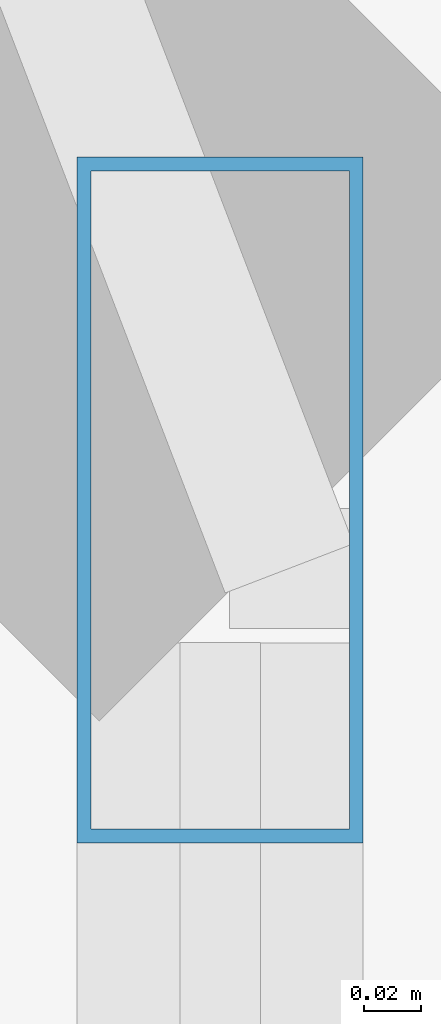
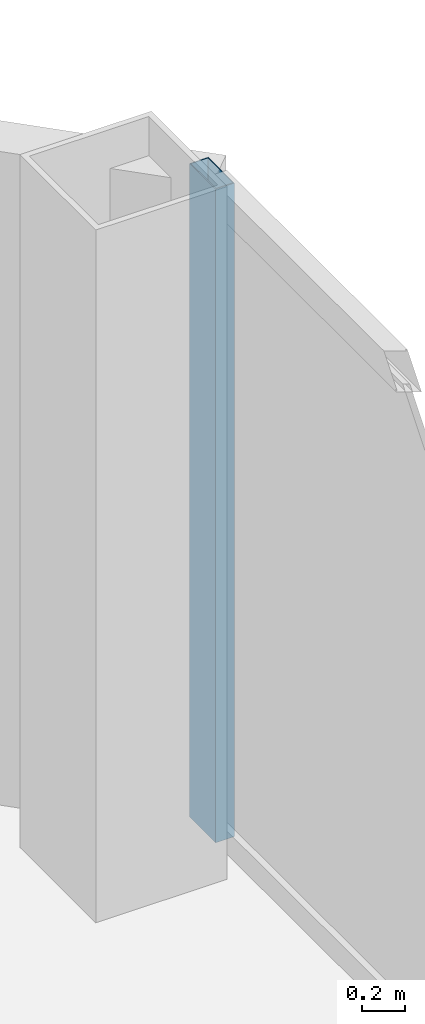
# One storey, part 16 of 26: 1 member, 1 element without a shape of its own.
"""IFC4 building model written with IfcOpenShell, lengths in metres."""

import ifcopenshell
import ifcopenshell.guid

model = None  # the IFC model being written
_history = None  # IfcOwnerHistory: only IFC2X3 demands one
_inside = {}  # id of a spatial element -> (the spatial element, [elements in it])
_under = {}  # id of a project, library or spatial element -> (it, [spatial elements below it])
_declared = {}  # id of a project -> (the project, [libraries it declares])
_typed = {}  # id of a type object -> (the type object, [elements of that type])
_made_of = {}  # id of a material, layer set ... -> (it, [elements and type objects made of it])


def new_model(schema):
    """Start an empty IFC model of exactly this schema.

    Asked for "IFC4X3", IfcOpenShell would pick the latest addendum, in which some entities
    have other attributes; the version numbers below select the first issue.
    IFC2X3 requires an IfcOwnerHistory on every rooted entity: one is made here for all.
    """
    global model, _history
    if schema == "IFC4X3":
        model = ifcopenshell.file(schema_version=(4, 3, 0, 0))
    else:
        model = ifcopenshell.file(schema=schema)
    _inside.clear()
    _under.clear()
    _declared.clear()
    _typed.clear()
    _made_of.clear()
    _history = None
    if model.schema == "IFC2X3":
        org = make("IfcOrganization", Name="unknown")
        user = make(
            "IfcPersonAndOrganization",
            ThePerson=make("IfcPerson", FamilyName="unknown"),
            TheOrganization=org,
        )
        app = make(
            "IfcApplication",
            ApplicationDeveloper=org,
            Version="unknown",
            ApplicationFullName="unknown",
            ApplicationIdentifier="unknown",
        )
        _history = make(
            "IfcOwnerHistory",
            OwningUser=user,
            OwningApplication=app,
            ChangeAction="ADDED",
            CreationDate=0,
        )
    return model


def make(cls, **values):
    """One entity of the class cls with the attributes given. An attribute that is None is left unset."""
    return model.create_entity(
        cls, **{name: value for name, value in values.items() if value is not None}
    )


def rooted(cls, **values):
    """An entity with a GlobalId (a new one), such as an element, a storey or a relation."""
    return make(cls, GlobalId=ifcopenshell.guid.new(), OwnerHistory=_history, **values)


def si_unit(unit_type, name, prefix=None):
    """IfcSIUnit, for example si_unit("LENGTHUNIT", "METRE", prefix="MILLI")."""
    return make("IfcSIUnit", UnitType=unit_type, Prefix=prefix, Name=name)


def assignment(units):
    """IfcUnitAssignment: the units of a project."""
    return None if units is None else make("IfcUnitAssignment", Units=units)


def point(xyz):
    """IfcCartesianPoint."""
    return None if xyz is None else make("IfcCartesianPoint", Coordinates=xyz)


def direction(xyz):
    """IfcDirection."""
    return None if xyz is None else make("IfcDirection", DirectionRatios=xyz)


def frame(location, z_axis=None, x_axis=None):
    """IfcAxis2Placement3D, a coordinate frame: its origin and axes. An axis left out is left unset."""
    return make(
        "IfcAxis2Placement3D",
        Location=point(location),
        Axis=direction(z_axis),
        RefDirection=direction(x_axis),
    )


def frame_2d(location, x_axis=None):
    """IfcAxis2Placement2D, a coordinate frame in the plane: its origin and x axis."""
    return make(
        "IfcAxis2Placement2D", Location=point(location), RefDirection=direction(x_axis)
    )


def origin():
    """The frame at (0, 0, 0) with its axes left unset."""
    return frame((0.0, 0.0, 0.0))


def origin_2d():
    """The frame at (0, 0) in the plane with its x axis left unset."""
    return frame_2d((0.0, 0.0))


def place(relative_to, where):
    """IfcLocalPlacement: puts the frame where relative to a parent placement (None: the world)."""
    return make(
        "IfcLocalPlacement", PlacementRelTo=relative_to, RelativePlacement=where
    )


def context(
    kind, dimensions, precision=None, world=None, true_north=None, identifier=None
):
    """IfcGeometricRepresentationContext, for example the 3D "Model" context."""
    return make(
        "IfcGeometricRepresentationContext",
        ContextIdentifier=identifier,
        ContextType=kind,
        CoordinateSpaceDimension=dimensions,
        Precision=precision,
        WorldCoordinateSystem=world,
        TrueNorth=true_north,
    )


def subcontext(parent, identifier, kind, view, scale=None):
    """IfcGeometricRepresentationSubContext, for example "Body" below "Model"."""
    return make(
        "IfcGeometricRepresentationSubContext",
        ContextIdentifier=identifier,
        ContextType=kind,
        ParentContext=parent,
        TargetScale=scale,
        TargetView=view,
    )


def project(units=None, contexts=None):
    """IfcProject with its units and contexts."""
    return rooted(
        "IfcProject",
        Name="project",
        RepresentationContexts=contexts,
        UnitsInContext=assignment(units),
    )


def spatial(cls, under=None, at=None, **own):
    """A site, building, storey or space (cls), placed at a placement, below another one or the project."""
    s = rooted(cls, ObjectPlacement=at, **own)
    if under is not None:
        _under.setdefault(under.id(), (under, []))[1].append(s)
    return s


def profile(cls, at=None, kind="AREA", **sizes):
    """A parametric profile (cls). Its sizes go by their IFC names, for example OverallWidth=200.0."""
    return make(cls, ProfileType=kind, Position=at, **sizes)


def hollow_rectangle(**sizes):
    """IfcRectangleHollowProfileDef."""
    return profile("IfcRectangleHollowProfileDef", **sizes)


def extrude(swept, where, along, depth):
    """IfcExtrudedAreaSolid: the profile swept, set in the frame where, extruded along a direction by depth."""
    return make(
        "IfcExtrudedAreaSolid",
        SweptArea=swept,
        Position=where,
        ExtrudedDirection=direction(along),
        Depth=depth,
    )


def shape(context_of_items, identifier, shape_type, items):
    """IfcShapeRepresentation: the items that make up one representation, for example the "Body"."""
    return make(
        "IfcShapeRepresentation",
        ContextOfItems=context_of_items,
        RepresentationIdentifier=identifier,
        RepresentationType=shape_type,
        Items=items,
    )


def material(Name=None, Category=None):
    """IfcMaterial."""
    return make("IfcMaterial", Name=Name, Category=Category)


def layer(
    of_material, thickness, ventilated=None, Name=None, Category=None, Priority=None
):
    """IfcMaterialLayer: one layer of a wall or slab, of a material (None: an air gap)."""
    return make(
        "IfcMaterialLayer",
        Material=of_material,
        LayerThickness=thickness,
        IsVentilated=ventilated,
        Name=Name,
        Category=Category,
        Priority=Priority,
    )


def layer_set(layers, Name=None):
    """IfcMaterialLayerSet."""
    return make("IfcMaterialLayerSet", MaterialLayers=layers, LayerSetName=Name)


def material_profile(
    of_material, cross_section, Name=None, Category=None, Priority=None
):
    """IfcMaterialProfile: a cross section and its material."""
    return make(
        "IfcMaterialProfile",
        Name=Name,
        Material=of_material,
        Profile=cross_section,
        Priority=Priority,
        Category=Category,
    )


def profile_set(profiles, Name=None, composite=None):
    """IfcMaterialProfileSet."""
    return make(
        "IfcMaterialProfileSet",
        Name=Name,
        MaterialProfiles=profiles,
        CompositeProfile=composite,
    )


def made_of(thing, what):
    """Note that an element or type object is made of a material, layer set ...; save() writes the relation."""
    if what is not None:
        _made_of.setdefault(what.id(), (what, []))[1].append(thing)
    return thing


def type_object(cls, material=None, **own):
    """A type object (cls), such as IfcWallType, which elements share."""
    return made_of(rooted(cls, **own), material)


def element(
    cls,
    number,
    at=None,
    inside=None,
    cuts=None,
    type_object=None,
    material=None,
    context=None,
    identifier="Body",
    shape_type=None,
    held_by="IfcProductDefinitionShape",
    body=None,
    shapes=None,
    **own,
):
    """One element of the class cls, such as IfcWall. Its Tag is "e" and its number.

    at: its placement. inside: the storey or other place that contains it. cuts: it is an
    opening in that element (IfcRelVoidsElement). A single representation is given by context,
    identifier, shape_type and body (its items); several are given by shapes. held_by: the class
    of the entity that holds the representations. save() writes the other relations.
    """
    e = rooted(cls, Tag="e%d" % number, ObjectPlacement=at, **own)
    if body is not None:
        shapes = [shape(context, identifier, shape_type, body)]
    if shapes is not None:
        e.Representation = make(held_by, Representations=shapes)
    if inside is not None:
        _inside.setdefault(inside.id(), (inside, []))[1].append(e)
    if cuts is not None:
        rooted(
            "IfcRelVoidsElement", RelatingBuildingElement=cuts, RelatedOpeningElement=e
        )
    if type_object is not None:
        _typed.setdefault(type_object.id(), (type_object, []))[1].append(e)
    return made_of(e, material)


def aggregate(whole, parts):
    """IfcRelAggregates: a whole, such as a stair, and the parts it consists of."""
    return rooted("IfcRelAggregates", RelatingObject=whole, RelatedObjects=parts)


def save(model, path):
    """Write the relations noted so far, then the file.

    IfcRelAggregates (storeys below a building ...), IfcRelContainedInSpatialStructure (elements
    in a storey), IfcRelDefinesByType, IfcRelAssociatesMaterial and IfcRelDeclares: one each for
    every whole, place, type object, material and project.
    """
    for whole, parts in _under.values():
        aggregate(whole, parts)
    for where, things in _inside.values():
        rooted(
            "IfcRelContainedInSpatialStructure",
            RelatedElements=things,
            RelatingStructure=where,
        )
    for kind, things in _typed.values():
        rooted("IfcRelDefinesByType", RelatedObjects=things, RelatingType=kind)
    for what, things in _made_of.values():
        rooted("IfcRelAssociatesMaterial", RelatedObjects=things, RelatingMaterial=what)
    for by, libraries in _declared.values():
        rooted("IfcRelDeclares", RelatingContext=by, RelatedDefinitions=libraries)
    model.write(path)


model = new_model("IFC4")

# Units and contexts
model_context = context("Model", 3, precision=1e-05, world=origin(), true_north=direction((0.0, 1.0)))
body_context = subcontext(model_context, "Body", "Model", "MODEL_VIEW")
ifc_project = project(units=[si_unit("LENGTHUNIT", "METRE"), si_unit("AREAUNIT", "SQUARE_METRE"), si_unit("VOLUMEUNIT", "CUBIC_METRE"), si_unit("PLANEANGLEUNIT", "RADIAN"), si_unit("MASSUNIT", "GRAM", prefix="KILO")], contexts=[model_context])

# Site, building, storey
site_placement = place(None, origin())
site = spatial("IfcSite", under=ifc_project, at=site_placement, CompositionType="ELEMENT")
building_placement = place(site_placement, origin())
building = spatial("IfcBuilding", under=site, at=building_placement, Name="Khorvyn Point Tower", CompositionType="ELEMENT")
storey_placement = place(building_placement, frame((0.0, 0.0, 183.60009765625)))
storey = spatial("IfcBuildingStorey", under=building, at=storey_placement, Name="L45", CompositionType="ELEMENT", Elevation=183.60009765625)

# Curtain wall, member
ifc_material_1 = material(Name="Anodised aluminium 6063-T6 and laminated Low-E glass", Category="aluminium")
ifc_layer = layer(ifc_material_1, 0.18994140625)
ifc_layer_set = layer_set([ifc_layer], Name="Stick-Built Acoustic Curtain Wall CW-SYS-03")
curtain_wall_type = type_object("IfcCurtainWallType", Name="Stick-Built Acoustic Curtain Wall CW-SYS-03", PredefinedType="NOTDEFINED", material=ifc_layer_set)
curtain_wall_placement = place(storey_placement, origin())
curtain_wall = element("IfcCurtainWall", 1, at=curtain_wall_placement, inside=storey, type_object=curtain_wall_type, Name="Curtain Wall", PredefinedType="NOTDEFINED")
ifc_material_2 = material(Name="Anodised aluminium 6063-T6", Category="aluminium")
ifc_material_profile = material_profile(ifc_material_2, hollow_rectangle(XDim=0.10009765625, YDim=0.239990234375, WallThickness=0.0048828125, at=origin_2d()))
ifc_profile_set = profile_set([ifc_material_profile], Name="Anodised aluminium 6063-T6 ALU-MUL-100x240")
member_type = type_object("IfcMemberType", Name="Anodised Aluminium 6063-T6 Mullion ALU-MUL-100x240", PredefinedType="MULLION", material=ifc_profile_set)
member_placement = place(storey_placement, frame((21.75, 19.199951171875, 0.0), z_axis=(0.0, 0.0, 1.0), x_axis=(1.0, 0.0, 0.0)))
member = element("IfcMember", 2, at=member_placement, type_object=member_type, Name="Transom", PredefinedType="MULLION", context=body_context, shape_type="SweptSolid", body=[
    extrude(hollow_rectangle(XDim=0.10009765625, YDim=0.239990234375, WallThickness=0.0048828125, at=origin_2d()), origin(), (0.0, 0.0, 1.0), 3.679931640625),
])
aggregate(curtain_wall, [member])

save(model, "model.ifc")
